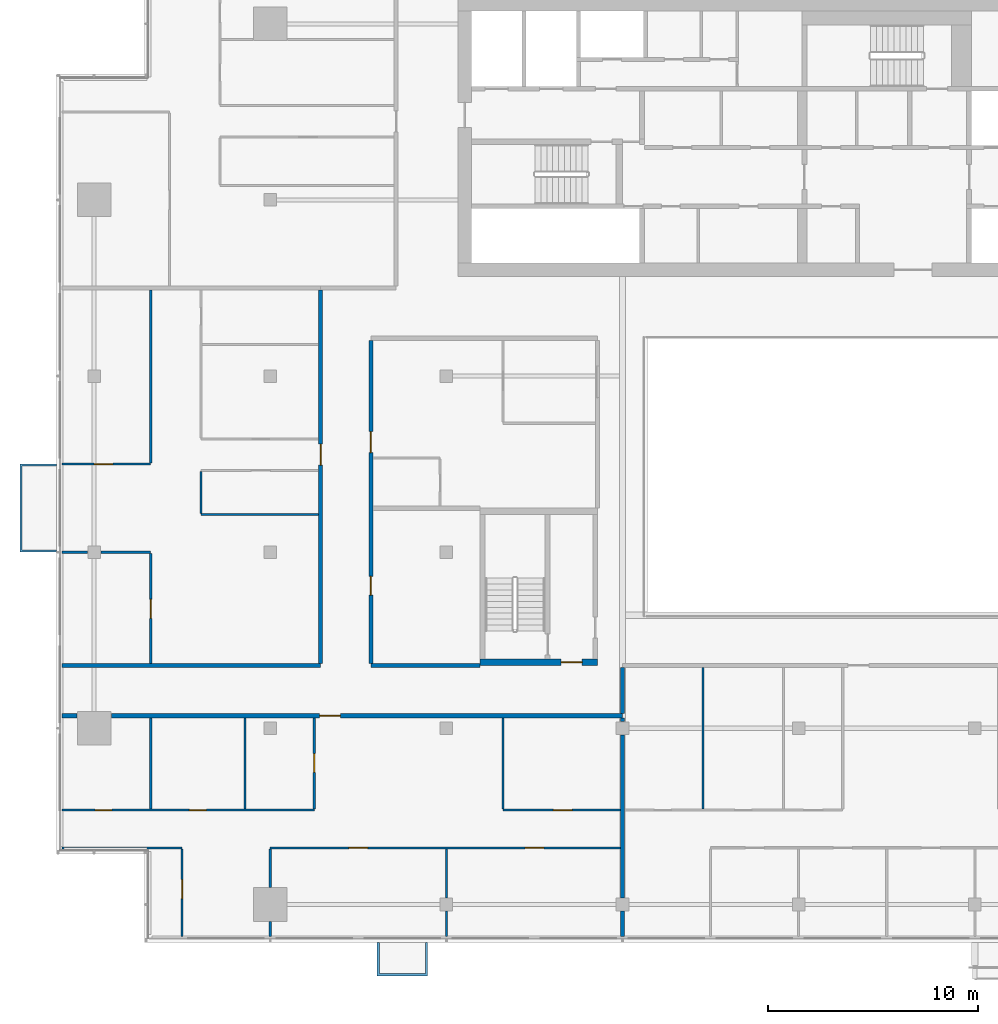
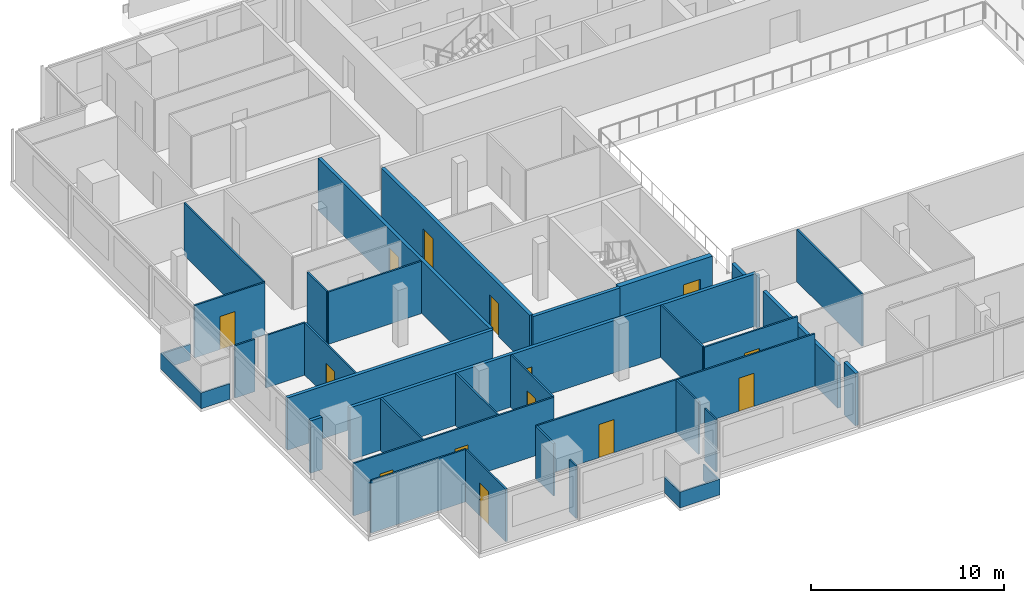
# One storey, part 17 of 27: 34 walls, 14 doors, 14 openings.
"""IFC4 building model written with IfcOpenShell, lengths in metres."""

import ifcopenshell
import ifcopenshell.guid

model = None  # the IFC model being written
_history = None  # IfcOwnerHistory: only IFC2X3 demands one
_inside = {}  # id of a spatial element -> (the spatial element, [elements in it])
_under = {}  # id of a project, library or spatial element -> (it, [spatial elements below it])
_declared = {}  # id of a project -> (the project, [libraries it declares])
_typed = {}  # id of a type object -> (the type object, [elements of that type])
_made_of = {}  # id of a material, layer set ... -> (it, [elements and type objects made of it])


def new_model(schema):
    """Start an empty IFC model of exactly this schema.

    Asked for "IFC4X3", IfcOpenShell would pick the latest addendum, in which some entities
    have other attributes; the version numbers below select the first issue.
    IFC2X3 requires an IfcOwnerHistory on every rooted entity: one is made here for all.
    """
    global model, _history
    if schema == "IFC4X3":
        model = ifcopenshell.file(schema_version=(4, 3, 0, 0))
    else:
        model = ifcopenshell.file(schema=schema)
    _inside.clear()
    _under.clear()
    _declared.clear()
    _typed.clear()
    _made_of.clear()
    _history = None
    if model.schema == "IFC2X3":
        org = make("IfcOrganization", Name="unknown")
        user = make(
            "IfcPersonAndOrganization",
            ThePerson=make("IfcPerson", FamilyName="unknown"),
            TheOrganization=org,
        )
        app = make(
            "IfcApplication",
            ApplicationDeveloper=org,
            Version="unknown",
            ApplicationFullName="unknown",
            ApplicationIdentifier="unknown",
        )
        _history = make(
            "IfcOwnerHistory",
            OwningUser=user,
            OwningApplication=app,
            ChangeAction="ADDED",
            CreationDate=0,
        )
    return model


def make(cls, **values):
    """One entity of the class cls with the attributes given. An attribute that is None is left unset."""
    return model.create_entity(
        cls, **{name: value for name, value in values.items() if value is not None}
    )


def rooted(cls, **values):
    """An entity with a GlobalId (a new one), such as an element, a storey or a relation."""
    return make(cls, GlobalId=ifcopenshell.guid.new(), OwnerHistory=_history, **values)


def si_unit(unit_type, name, prefix=None):
    """IfcSIUnit, for example si_unit("LENGTHUNIT", "METRE", prefix="MILLI")."""
    return make("IfcSIUnit", UnitType=unit_type, Prefix=prefix, Name=name)


def assignment(units):
    """IfcUnitAssignment: the units of a project."""
    return None if units is None else make("IfcUnitAssignment", Units=units)


def point(xyz):
    """IfcCartesianPoint."""
    return None if xyz is None else make("IfcCartesianPoint", Coordinates=xyz)


def direction(xyz):
    """IfcDirection."""
    return None if xyz is None else make("IfcDirection", DirectionRatios=xyz)


def frame(location, z_axis=None, x_axis=None):
    """IfcAxis2Placement3D, a coordinate frame: its origin and axes. An axis left out is left unset."""
    return make(
        "IfcAxis2Placement3D",
        Location=point(location),
        Axis=direction(z_axis),
        RefDirection=direction(x_axis),
    )


def frame_2d(location, x_axis=None):
    """IfcAxis2Placement2D, a coordinate frame in the plane: its origin and x axis."""
    return make(
        "IfcAxis2Placement2D", Location=point(location), RefDirection=direction(x_axis)
    )


def origin():
    """The frame at (0, 0, 0) with its axes left unset."""
    return frame((0.0, 0.0, 0.0))


def place(relative_to, where):
    """IfcLocalPlacement: puts the frame where relative to a parent placement (None: the world)."""
    return make(
        "IfcLocalPlacement", PlacementRelTo=relative_to, RelativePlacement=where
    )


def context(
    kind, dimensions, precision=None, world=None, true_north=None, identifier=None
):
    """IfcGeometricRepresentationContext, for example the 3D "Model" context."""
    return make(
        "IfcGeometricRepresentationContext",
        ContextIdentifier=identifier,
        ContextType=kind,
        CoordinateSpaceDimension=dimensions,
        Precision=precision,
        WorldCoordinateSystem=world,
        TrueNorth=true_north,
    )


def subcontext(parent, identifier, kind, view, scale=None):
    """IfcGeometricRepresentationSubContext, for example "Body" below "Model"."""
    return make(
        "IfcGeometricRepresentationSubContext",
        ContextIdentifier=identifier,
        ContextType=kind,
        ParentContext=parent,
        TargetScale=scale,
        TargetView=view,
    )


def project(units=None, contexts=None):
    """IfcProject with its units and contexts."""
    return rooted(
        "IfcProject",
        Name="project",
        RepresentationContexts=contexts,
        UnitsInContext=assignment(units),
    )


def spatial(cls, under=None, at=None, **own):
    """A site, building, storey or space (cls), placed at a placement, below another one or the project."""
    s = rooted(cls, ObjectPlacement=at, **own)
    if under is not None:
        _under.setdefault(under.id(), (under, []))[1].append(s)
    return s


def polyline(points):
    """IfcPolyline through the points."""
    return make("IfcPolyline", Points=[point(p) for p in points])


def profile(cls, at=None, kind="AREA", **sizes):
    """A parametric profile (cls). Its sizes go by their IFC names, for example OverallWidth=200.0."""
    return make(cls, ProfileType=kind, Position=at, **sizes)


def rectangle(**sizes):
    """IfcRectangleProfileDef."""
    return profile("IfcRectangleProfileDef", **sizes)


def outline(outer, holes=None, kind="AREA"):
    """IfcArbitraryClosedProfileDef: a profile drawn as a closed curve; with holes, ...WithVoids."""
    if holes is None:
        return make("IfcArbitraryClosedProfileDef", ProfileType=kind, OuterCurve=outer)
    return make(
        "IfcArbitraryProfileDefWithVoids",
        ProfileType=kind,
        OuterCurve=outer,
        InnerCurves=holes,
    )


def extrude(swept, where, along, depth):
    """IfcExtrudedAreaSolid: the profile swept, set in the frame where, extruded along a direction by depth."""
    return make(
        "IfcExtrudedAreaSolid",
        SweptArea=swept,
        Position=where,
        ExtrudedDirection=direction(along),
        Depth=depth,
    )


def shape(context_of_items, identifier, shape_type, items):
    """IfcShapeRepresentation: the items that make up one representation, for example the "Body"."""
    return make(
        "IfcShapeRepresentation",
        ContextOfItems=context_of_items,
        RepresentationIdentifier=identifier,
        RepresentationType=shape_type,
        Items=items,
    )


def material(Name=None, Category=None):
    """IfcMaterial."""
    return make("IfcMaterial", Name=Name, Category=Category)


def layer(
    of_material, thickness, ventilated=None, Name=None, Category=None, Priority=None
):
    """IfcMaterialLayer: one layer of a wall or slab, of a material (None: an air gap)."""
    return make(
        "IfcMaterialLayer",
        Material=of_material,
        LayerThickness=thickness,
        IsVentilated=ventilated,
        Name=Name,
        Category=Category,
        Priority=Priority,
    )


def layer_set(layers, Name=None):
    """IfcMaterialLayerSet."""
    return make("IfcMaterialLayerSet", MaterialLayers=layers, LayerSetName=Name)


def made_of(thing, what):
    """Note that an element or type object is made of a material, layer set ...; save() writes the relation."""
    if what is not None:
        _made_of.setdefault(what.id(), (what, []))[1].append(thing)
    return thing


def type_object(cls, material=None, **own):
    """A type object (cls), such as IfcWallType, which elements share."""
    return made_of(rooted(cls, **own), material)


def element(
    cls,
    number,
    at=None,
    inside=None,
    cuts=None,
    type_object=None,
    material=None,
    context=None,
    identifier="Body",
    shape_type=None,
    held_by="IfcProductDefinitionShape",
    body=None,
    shapes=None,
    **own,
):
    """One element of the class cls, such as IfcWall. Its Tag is "e" and its number.

    at: its placement. inside: the storey or other place that contains it. cuts: it is an
    opening in that element (IfcRelVoidsElement). A single representation is given by context,
    identifier, shape_type and body (its items); several are given by shapes. held_by: the class
    of the entity that holds the representations. save() writes the other relations.
    """
    e = rooted(cls, Tag="e%d" % number, ObjectPlacement=at, **own)
    if body is not None:
        shapes = [shape(context, identifier, shape_type, body)]
    if shapes is not None:
        e.Representation = make(held_by, Representations=shapes)
    if inside is not None:
        _inside.setdefault(inside.id(), (inside, []))[1].append(e)
    if cuts is not None:
        rooted(
            "IfcRelVoidsElement", RelatingBuildingElement=cuts, RelatedOpeningElement=e
        )
    if type_object is not None:
        _typed.setdefault(type_object.id(), (type_object, []))[1].append(e)
    return made_of(e, material)


def fill(opening, filler):
    """IfcRelFillsElement: the door or window that sits in an opening."""
    return rooted(
        "IfcRelFillsElement",
        RelatingOpeningElement=opening,
        RelatedBuildingElement=filler,
    )


def aggregate(whole, parts):
    """IfcRelAggregates: a whole, such as a stair, and the parts it consists of."""
    return rooted("IfcRelAggregates", RelatingObject=whole, RelatedObjects=parts)


def save(model, path):
    """Write the relations noted so far, then the file.

    IfcRelAggregates (storeys below a building ...), IfcRelContainedInSpatialStructure (elements
    in a storey), IfcRelDefinesByType, IfcRelAssociatesMaterial and IfcRelDeclares: one each for
    every whole, place, type object, material and project.
    """
    for whole, parts in _under.values():
        aggregate(whole, parts)
    for where, things in _inside.values():
        rooted(
            "IfcRelContainedInSpatialStructure",
            RelatedElements=things,
            RelatingStructure=where,
        )
    for kind, things in _typed.values():
        rooted("IfcRelDefinesByType", RelatedObjects=things, RelatingType=kind)
    for what, things in _made_of.values():
        rooted("IfcRelAssociatesMaterial", RelatedObjects=things, RelatingMaterial=what)
    for by, libraries in _declared.values():
        rooted("IfcRelDeclares", RelatingContext=by, RelatedDefinitions=libraries)
    model.write(path)


model = new_model("IFC4")

# Units and contexts
model_context = context("Model", 3, precision=1e-05, world=origin(), true_north=direction((0.0, 1.0)))
body_context = subcontext(model_context, "Body", "Model", "MODEL_VIEW")
ifc_project = project(units=[si_unit("LENGTHUNIT", "METRE"), si_unit("AREAUNIT", "SQUARE_METRE"), si_unit("VOLUMEUNIT", "CUBIC_METRE"), si_unit("PLANEANGLEUNIT", "RADIAN"), si_unit("MASSUNIT", "GRAM", prefix="KILO")], contexts=[model_context])

# Site, building, storey
site_placement = place(None, origin())
site = spatial("IfcSite", under=ifc_project, at=site_placement, CompositionType="ELEMENT")
building_placement = place(site_placement, origin())
building = spatial("IfcBuilding", under=site, at=building_placement, Name="Saffron Gate Tower", CompositionType="ELEMENT")
storey_placement = place(building_placement, frame((0.0, 0.0, 234.300048828125)))
storey = spatial("IfcBuildingStorey", under=building, at=storey_placement, Name="L57", CompositionType="ELEMENT", Elevation=234.300048828125)

# Wall, opening, door
ifc_material_1 = material(Name="Concrete C60", Category="concrete")
ifc_layer_1 = layer(ifc_material_1, 0.300048828125)
ifc_layer_set_1 = layer_set([ifc_layer_1], Name="CW17 RC core wall 300 C60")
wall_type_1 = type_object("IfcWallType", Name="CW17 RC core wall 300 C60", PredefinedType="SOLIDWALL", material=ifc_layer_set_1)
wall_1_placement = place(storey_placement, frame((68.199951171875, 43.35009765625, 0.0), z_axis=(0.0, 0.0, 1.0), x_axis=(1.0, 0.0, 0.0)))
wall_1 = element("IfcWall", 1, at=wall_1_placement, inside=storey, type_object=wall_type_1, Name="Wall CW17-L57-D-1", PredefinedType="SOLIDWALL", context=body_context, shape_type="SweptSolid", body=[
    extrude(rectangle(XDim=5.60009765625, YDim=0.300048828125, at=frame_2d((2.800048828125, 0.0))), origin(), (0.0, 0.0, 1.0), 3.320068359375),
])
opening_1_placement = place(wall_1_placement, frame((3.875, 0.0, 0.0)))
opening_1 = element("IfcOpeningElement", 2, at=opening_1_placement, cuts=wall_1, Name="Opening CR-18", PredefinedType="OPENING", context=body_context, shape_type="SweptSolid", body=[
    extrude(rectangle(XDim=1.0, YDim=2.10009765625, at=frame_2d((0.5, 1.050048828125))), frame((0.0, 0.16015625, 0.0), z_axis=(0.0, -1.0, 0.0), x_axis=(1.0, 0.0, 0.0)), (0.0, 0.0, 1.0), 0.320068359375),
])
ifc_material_2 = material(Name="Steel fire door set", Category="steel")
door_type_1 = type_object("IfcDoorType", Name="CD4 Lobby door 1000x2100 EI 120", OperationType="NOTDEFINED", PredefinedType="DOOR", material=ifc_material_2)
door_1_placement = place(opening_1_placement, origin())
door_1 = element("IfcDoor", 3, at=door_1_placement, inside=storey, type_object=door_type_1, Name="DOOR CR-18", OperationType="SINGLE_SWING_RIGHT", OverallHeight=2.10009765625, OverallWidth=1.0, PredefinedType="DOOR", context=body_context, shape_type="SweptSolid", body=[
    extrude(rectangle(XDim=1.0, YDim=2.10009765625, at=frame_2d((0.5, 1.050048828125))), frame((0.0, 0.02490234375, 0.0), z_axis=(0.0, -1.0, 0.0), x_axis=(1.0, 0.0, 0.0)), (0.0, 0.0, 1.0), 0.050048828125),
])
fill(opening_1, door_1)

# Wall
ifc_material_3 = material(Name="Plasterboard on steel studs", Category="steel")
ifc_layer_2 = layer(ifc_material_3, 0.10009765625)
ifc_layer_set_2 = layer_set([ifc_layer_2], Name="PW1 Partition 100")
wall_type_2 = type_object("IfcWallType", Name="PW1 Partition 100", PredefinedType="PARTITIONING", material=ifc_layer_set_2)
wall_2_placement = place(storey_placement, frame((48.280029296875, 34.5, 0.0), z_axis=(0.0, 0.0, 1.0), x_axis=(1.0, 0.0, 0.0)))
element("IfcWall", 4, at=wall_2_placement, inside=storey, type_object=wall_type_2, Name="Partition D3-1", PredefinedType="PARTITIONING", context=body_context, shape_type="SweptSolid", body=[
    extrude(rectangle(XDim=5.719970703125, YDim=0.10009765625, at=frame_2d((2.85986328125, 0.0))), origin(), (0.0, 0.0, 1.0), 3.320068359375),
])

# Wall, openings, doors
wall_3_placement = place(storey_placement, frame((74.89990234375, 34.5, 0.0), z_axis=(0.0, 0.0, 1.0), x_axis=(-1.0, 0.0, 0.0)))
wall_3 = element("IfcWall", 5, at=wall_3_placement, inside=storey, type_object=wall_type_2, Name="Partition D3-2", PredefinedType="PARTITIONING", context=body_context, shape_type="SweptSolid", body=[
    extrude(rectangle(XDim=16.699951171875, YDim=0.10009765625, at=frame_2d((8.35009765625, 0.0))), origin(), (0.0, 0.0, 1.0), 3.320068359375),
])
opening_2_placement = place(wall_3_placement, frame((3.64990234375, 0.0, 0.0)))
opening_2 = element("IfcOpeningElement", 6, at=opening_2_placement, cuts=wall_3, Name="Opening D3-12", PredefinedType="OPENING", context=body_context, shape_type="SweptSolid", body=[
    extrude(rectangle(XDim=0.89990234375, YDim=2.10009765625, at=frame_2d((0.449951171875, 1.050048828125))), frame((0.0, 0.06005859375, 0.0), z_axis=(0.0, -1.0, 0.0), x_axis=(1.0, 0.0, 0.0)), (0.0, 0.0, 1.0), 0.1201171875),
])
opening_3_placement = place(wall_3_placement, frame((12.050048828125, 0.0, 0.0)))
opening_3 = element("IfcOpeningElement", 7, at=opening_3_placement, cuts=wall_3, Name="Opening D3-11", PredefinedType="OPENING", context=body_context, shape_type="SweptSolid", body=[
    extrude(rectangle(XDim=0.89990234375, YDim=2.10009765625, at=frame_2d((0.449951171875, 1.050048828125))), frame((0.0, 0.06005859375, 0.0), z_axis=(0.0, -1.0, 0.0), x_axis=(1.0, 0.0, 0.0)), (0.0, 0.0, 1.0), 0.1201171875),
])
ifc_material_4 = material(Name="Timber door set", Category="wood")
door_type_2 = type_object("IfcDoorType", Name="RD1 Room door 900x2100", OperationType="NOTDEFINED", PredefinedType="DOOR", material=ifc_material_4)
door_2_placement = place(opening_2_placement, origin())
door_2 = element("IfcDoor", 8, at=door_2_placement, inside=storey, type_object=door_type_2, Name="Door D3-12", OperationType="SINGLE_SWING_LEFT", OverallHeight=2.10009765625, OverallWidth=0.89990234375, PredefinedType="DOOR", context=body_context, shape_type="SweptSolid", body=[
    extrude(rectangle(XDim=0.89990234375, YDim=2.10009765625, at=frame_2d((0.449951171875, 1.050048828125))), frame((0.0, 0.02490234375, 0.0), z_axis=(0.0, -1.0, 0.0), x_axis=(1.0, 0.0, 0.0)), (0.0, 0.0, 1.0), 0.050048828125),
])
fill(opening_2, door_2)
door_3_placement = place(opening_3_placement, origin())
door_3 = element("IfcDoor", 9, at=door_3_placement, inside=storey, type_object=door_type_2, Name="Door D3-11", OperationType="SINGLE_SWING_RIGHT", OverallHeight=2.10009765625, OverallWidth=0.89990234375, PredefinedType="DOOR", context=body_context, shape_type="SweptSolid", body=[
    extrude(rectangle(XDim=0.89990234375, YDim=2.10009765625, at=frame_2d((0.449951171875, 1.050048828125))), frame((0.0, 0.02490234375, 0.0), z_axis=(0.0, -1.0, 0.0), x_axis=(1.0, 0.0, 0.0)), (0.0, 0.0, 1.0), 0.050048828125),
])
fill(opening_3, door_3)

wall_4_placement = place(storey_placement, frame((48.280029296875, 36.300048828125, 0.0), z_axis=(0.0, 0.0, 1.0), x_axis=(1.0, 0.0, 0.0)))
wall_4 = element("IfcWall", 10, at=wall_4_placement, inside=storey, type_object=wall_type_2, Name="Partition D3-4", PredefinedType="PARTITIONING", context=body_context, shape_type="SweptSolid", body=[
    extrude(rectangle(XDim=12.02001953125, YDim=0.10009765625, at=frame_2d((6.010009765625, 0.0))), origin(), (0.0, 0.0, 1.0), 3.320068359375),
])
opening_4_placement = place(wall_4_placement, frame((1.570068359375, 0.0, 0.0)))
opening_4 = element("IfcOpeningElement", 11, at=opening_4_placement, cuts=wall_4, Name="Opening D3-39", PredefinedType="OPENING", context=body_context, shape_type="SweptSolid", body=[
    extrude(rectangle(XDim=0.800048828125, YDim=2.10009765625, at=frame_2d((0.39990234375, 1.050048828125))), frame((0.0, 0.06005859375, 0.0), z_axis=(0.0, -1.0, 0.0), x_axis=(1.0, 0.0, 0.0)), (0.0, 0.0, 1.0), 0.1201171875),
])
opening_5_placement = place(wall_4_placement, frame((6.070068359375, 0.0, 0.0)))
opening_5 = element("IfcOpeningElement", 12, at=opening_5_placement, cuts=wall_4, Name="Opening D3-40", PredefinedType="OPENING", context=body_context, shape_type="SweptSolid", body=[
    extrude(rectangle(XDim=0.800048828125, YDim=2.10009765625, at=frame_2d((0.39990234375, 1.050048828125))), frame((0.0, 0.06005859375, 0.0), z_axis=(0.0, -1.0, 0.0), x_axis=(1.0, 0.0, 0.0)), (0.0, 0.0, 1.0), 0.1201171875),
])
door_type_3 = type_object("IfcDoorType", Name="RD2 Bathroom door 800x2100", OperationType="NOTDEFINED", PredefinedType="DOOR", material=ifc_material_4)
door_4_placement = place(opening_4_placement, origin())
door_4 = element("IfcDoor", 13, at=door_4_placement, inside=storey, type_object=door_type_3, Name="Door D3-39", OperationType="SINGLE_SWING_LEFT", OverallHeight=2.10009765625, OverallWidth=0.800048828125, PredefinedType="DOOR", context=body_context, shape_type="SweptSolid", body=[
    extrude(rectangle(XDim=0.800048828125, YDim=2.10009765625, at=frame_2d((0.39990234375, 1.050048828125))), frame((0.0, 0.02490234375, 0.0), z_axis=(0.0, -1.0, 0.0), x_axis=(1.0, 0.0, 0.0)), (0.0, 0.0, 1.0), 0.050048828125),
])
fill(opening_4, door_4)
door_5_placement = place(opening_5_placement, origin())
door_5 = element("IfcDoor", 14, at=door_5_placement, inside=storey, type_object=door_type_3, Name="Door D3-40", OperationType="SINGLE_SWING_LEFT", OverallHeight=2.10009765625, OverallWidth=0.800048828125, PredefinedType="DOOR", context=body_context, shape_type="SweptSolid", body=[
    extrude(rectangle(XDim=0.800048828125, YDim=2.10009765625, at=frame_2d((0.39990234375, 1.050048828125))), frame((0.0, 0.02490234375, 0.0), z_axis=(0.0, -1.0, 0.0), x_axis=(1.0, 0.0, 0.0)), (0.0, 0.0, 1.0), 0.050048828125),
])
fill(opening_5, door_5)

# Walls
wall_5_placement = place(storey_placement, frame((48.280029296875, 48.60009765625, 0.0), z_axis=(0.0, 0.0, 1.0), x_axis=(1.0, 0.0, 0.0)))
element("IfcWall", 15, at=wall_5_placement, inside=storey, type_object=wall_type_2, Name="Partition D3-19", PredefinedType="PARTITIONING", context=body_context, shape_type="SweptSolid", body=[
    extrude(rectangle(XDim=1.199951171875, YDim=0.10009765625, at=frame_2d((0.60009765625, 0.0))), origin(), (0.0, 0.0, 1.0), 3.320068359375),
])
wall_6_placement = place(storey_placement, frame((50.1201171875, 48.60009765625, 0.0), z_axis=(0.0, 0.0, 1.0), x_axis=(1.0, 0.0, 0.0)))
element("IfcWall", 16, at=wall_6_placement, inside=storey, type_object=wall_type_2, Name="Partition D3-20", PredefinedType="PARTITIONING", context=body_context, shape_type="SweptSolid", body=[
    extrude(rectangle(XDim=2.3798828125, YDim=0.10009765625, at=frame_2d((1.18994140625, 0.0))), origin(), (0.0, 0.0, 1.0), 3.320068359375),
])
wall_7_placement = place(storey_placement, frame((54.89990234375, 50.39306640625, 0.0), z_axis=(0.0, 0.0, 1.0), x_axis=(1.0, 0.0, 0.0)))
element("IfcWall", 17, at=wall_7_placement, inside=storey, type_object=wall_type_2, Name="Partition D3-23", PredefinedType="PARTITIONING", context=body_context, shape_type="SweptSolid", body=[
    extrude(rectangle(XDim=5.60009765625, YDim=0.10009765625, at=frame_2d((2.800048828125, 0.0))), origin(), (0.0, 0.0, 1.0), 3.320068359375),
])

# Wall, opening, door
wall_8_placement = place(storey_placement, frame((48.280029296875, 52.800048828125, 0.0), z_axis=(0.0, 0.0, 1.0), x_axis=(1.0, 0.0, 0.0)))
wall_8 = element("IfcWall", 18, at=wall_8_placement, inside=storey, type_object=wall_type_2, Name="Partition D3-27", PredefinedType="PARTITIONING", context=body_context, shape_type="SweptSolid", body=[
    extrude(rectangle(XDim=4.219970703125, YDim=0.10009765625, at=frame_2d((2.10986328125, 0.0))), origin(), (0.0, 0.0, 1.0), 3.320068359375),
])
opening_6_placement = place(wall_8_placement, frame((1.52001953125, 0.0, 0.0)))
opening_6 = element("IfcOpeningElement", 19, at=opening_6_placement, cuts=wall_8, Name="Opening D3-26", PredefinedType="OPENING", context=body_context, shape_type="SweptSolid", body=[
    extrude(rectangle(XDim=0.89990234375, YDim=2.10009765625, at=frame_2d((0.449951171875, 1.050048828125))), frame((0.0, 0.06005859375, 0.0), z_axis=(0.0, -1.0, 0.0), x_axis=(1.0, 0.0, 0.0)), (0.0, 0.0, 1.0), 0.1201171875),
])
door_6_placement = place(opening_6_placement, origin())
door_6 = element("IfcDoor", 20, at=door_6_placement, inside=storey, type_object=door_type_2, Name="Door D3-26", OperationType="SINGLE_SWING_LEFT", OverallHeight=2.10009765625, OverallWidth=0.89990234375, PredefinedType="DOOR", context=body_context, shape_type="SweptSolid", body=[
    extrude(rectangle(XDim=0.89990234375, YDim=2.10009765625, at=frame_2d((0.449951171875, 1.050048828125))), frame((0.0, 0.02490234375, 0.0), z_axis=(0.0, -1.0, 0.0), x_axis=(1.0, 0.0, 0.0)), (0.0, 0.0, 1.0), 0.050048828125),
])
fill(opening_6, door_6)

# Wall
wall_9_placement = place(storey_placement, frame((52.5, 40.699951171875, 0.0), z_axis=(0.0, 0.0, 1.0), x_axis=(0.0, -1.0, 0.0)))
element("IfcWall", 21, at=wall_9_placement, inside=storey, type_object=wall_type_2, Name="Partition D3-55", PredefinedType="PARTITIONING", context=body_context, shape_type="SweptSolid", body=[
    extrude(rectangle(XDim=4.349853515625, YDim=0.10009765625, at=frame_2d((2.1748046875, 0.0))), origin(), (0.0, 0.0, 1.0), 3.320068359375),
])

# Wall, opening, door
wall_10_placement = place(storey_placement, frame((52.5, 43.300048828125, 0.0), z_axis=(0.0, 0.0, 1.0), x_axis=(0.0, 1.0, 0.0)))
wall_10 = element("IfcWall", 22, at=wall_10_placement, inside=storey, type_object=wall_type_2, Name="Partition D3-56", PredefinedType="PARTITIONING", context=body_context, shape_type="SweptSolid", body=[
    extrude(rectangle(XDim=5.25, YDim=0.10009765625, at=frame_2d((2.625, 0.0))), origin(), (0.0, 0.0, 1.0), 3.320068359375),
])
opening_7_placement = place(wall_10_placement, frame((2.14990234375, 0.0, 0.0)))
opening_7 = element("IfcOpeningElement", 23, at=opening_7_placement, cuts=wall_10, Name="Opening D3-25", PredefinedType="OPENING", context=body_context, shape_type="SweptSolid", body=[
    extrude(rectangle(XDim=0.89990234375, YDim=2.10009765625, at=frame_2d((0.449951171875, 1.050048828125))), frame((0.0, 0.06005859375, 0.0), z_axis=(0.0, -1.0, 0.0), x_axis=(1.0, 0.0, 0.0)), (0.0, 0.0, 1.0), 0.1201171875),
])
door_7_placement = place(opening_7_placement, origin())
door_7 = element("IfcDoor", 24, at=door_7_placement, inside=storey, type_object=door_type_2, Name="Door D3-25", OperationType="SINGLE_SWING_LEFT", OverallHeight=2.10009765625, OverallWidth=0.89990234375, PredefinedType="DOOR", context=body_context, shape_type="SweptSolid", body=[
    extrude(rectangle(XDim=0.89990234375, YDim=2.10009765625, at=frame_2d((0.449951171875, 1.050048828125))), frame((0.0, 0.02490234375, 0.0), z_axis=(0.0, -1.0, 0.0), x_axis=(1.0, 0.0, 0.0)), (0.0, 0.0, 1.0), 0.050048828125),
])
fill(opening_7, door_7)

# Wall
wall_11_placement = place(storey_placement, frame((52.5, 61.10009765625, 0.0), z_axis=(0.0, 0.0, 1.0), x_axis=(0.0, -1.0, 0.0)))
element("IfcWall", 25, at=wall_11_placement, inside=storey, type_object=wall_type_2, Name="Partition D3-57", PredefinedType="PARTITIONING", context=body_context, shape_type="SweptSolid", body=[
    extrude(rectangle(XDim=8.25, YDim=0.10009765625, at=frame_2d((4.125, 0.0))), origin(), (0.0, 0.0, 1.0), 3.320068359375),
])

# Wall, opening, door
wall_12_placement = place(storey_placement, frame((54.0, 30.280029296875, 0.0), z_axis=(0.0, 0.0, 1.0), x_axis=(0.0, 1.0, 0.0)))
wall_12 = element("IfcWall", 26, at=wall_12_placement, inside=storey, type_object=wall_type_2, Name="Partition D3-59", PredefinedType="PARTITIONING", context=body_context, shape_type="SweptSolid", body=[
    extrude(rectangle(XDim=4.169921875, YDim=0.10009765625, at=frame_2d((2.0849609375, 0.0))), origin(), (0.0, 0.0, 1.0), 3.320068359375),
])
opening_8_placement = place(wall_12_placement, frame((1.802734375, 0.0, 0.0)))
opening_8 = element("IfcOpeningElement", 27, at=opening_8_placement, cuts=wall_12, Name="Opening D3-10", PredefinedType="OPENING", context=body_context, shape_type="SweptSolid", body=[
    extrude(rectangle(XDim=0.89990234375, YDim=2.10009765625, at=frame_2d((0.449951171875, 1.050048828125))), frame((0.0, 0.06005859375, 0.0), z_axis=(0.0, -1.0, 0.0), x_axis=(1.0, 0.0, 0.0)), (0.0, 0.0, 1.0), 0.1201171875),
])
door_8_placement = place(opening_8_placement, origin())
door_8 = element("IfcDoor", 28, at=door_8_placement, inside=storey, type_object=door_type_2, Name="Door D3-10", OperationType="SINGLE_SWING_RIGHT", OverallHeight=2.10009765625, OverallWidth=0.89990234375, PredefinedType="DOOR", context=body_context, shape_type="SweptSolid", body=[
    extrude(rectangle(XDim=0.89990234375, YDim=2.10009765625, at=frame_2d((0.449951171875, 1.050048828125))), frame((0.0, 0.02490234375, 0.0), z_axis=(0.0, -1.0, 0.0), x_axis=(1.0, 0.0, 0.0)), (0.0, 0.0, 1.0), 0.050048828125),
])
fill(opening_8, door_8)

# Walls
wall_13_placement = place(storey_placement, frame((54.89990234375, 52.449951171875, 0.0), z_axis=(0.0, 0.0, 1.0), x_axis=(0.0, -1.0, 0.0)))
element("IfcWall", 29, at=wall_13_placement, inside=storey, type_object=wall_type_2, Name="Partition D3-60", PredefinedType="PARTITIONING", context=body_context, shape_type="SweptSolid", body=[
    extrude(rectangle(XDim=2.0068359375, YDim=0.10009765625, at=frame_2d((1.00341796875, 0.0))), origin(), (0.0, 0.0, 1.0), 3.320068359375),
])
wall_14_placement = place(storey_placement, frame((57.0, 40.699951171875, 0.0), z_axis=(0.0, 0.0, 1.0), x_axis=(0.0, -1.0, 0.0)))
element("IfcWall", 30, at=wall_14_placement, inside=storey, type_object=wall_type_2, Name="Partition D3-64", PredefinedType="PARTITIONING", context=body_context, shape_type="SweptSolid", body=[
    extrude(rectangle(XDim=4.349853515625, YDim=0.10009765625, at=frame_2d((2.1748046875, 0.0))), origin(), (0.0, 0.0, 1.0), 3.320068359375),
])
wall_15_placement = place(storey_placement, frame((58.199951171875, 30.97998046875, 0.0), z_axis=(0.0, 0.0, 1.0), x_axis=(0.0, -1.0, 0.0)))
element("IfcWall", 31, at=wall_15_placement, inside=storey, type_object=wall_type_2, Name="Partition D3-65", PredefinedType="PARTITIONING", context=body_context, shape_type="SweptSolid", body=[
    extrude(rectangle(XDim=0.699951171875, YDim=0.10009765625, at=frame_2d((0.35009765625, 0.0))), origin(), (0.0, 0.0, 1.0), 3.320068359375),
])
wall_16_placement = place(storey_placement, frame((58.199951171875, 34.449951171875, 0.0), z_axis=(0.0, 0.0, 1.0), x_axis=(0.0, -1.0, 0.0)))
element("IfcWall", 32, at=wall_16_placement, inside=storey, type_object=wall_type_2, Name="Partition D3-66", PredefinedType="PARTITIONING", context=body_context, shape_type="SweptSolid", body=[
    extrude(rectangle(XDim=1.829833984375, YDim=0.10009765625, at=frame_2d((0.9150390625, 0.0))), origin(), (0.0, 0.0, 1.0), 3.320068359375),
])

# Wall, opening, door
wall_17_placement = place(storey_placement, frame((60.300048828125, 36.35009765625, 0.0), z_axis=(0.0, 0.0, 1.0), x_axis=(0.0, 1.0, 0.0)))
wall_17 = element("IfcWall", 33, at=wall_17_placement, inside=storey, type_object=wall_type_2, Name="Partition D3-67", PredefinedType="PARTITIONING", context=body_context, shape_type="SweptSolid", body=[
    extrude(rectangle(XDim=4.349853515625, YDim=0.10009765625, at=frame_2d((2.1748046875, 0.0))), origin(), (0.0, 0.0, 1.0), 3.320068359375),
])
opening_9_placement = place(wall_17_placement, frame((1.75, 0.0, 0.0)))
opening_9 = element("IfcOpeningElement", 34, at=opening_9_placement, cuts=wall_17, Name="Opening D3-14", PredefinedType="OPENING", context=body_context, shape_type="SweptSolid", body=[
    extrude(rectangle(XDim=0.89990234375, YDim=2.10009765625, at=frame_2d((0.449951171875, 1.050048828125))), frame((0.0, 0.06005859375, 0.0), z_axis=(0.0, -1.0, 0.0), x_axis=(1.0, 0.0, 0.0)), (0.0, 0.0, 1.0), 0.1201171875),
])
door_9_placement = place(opening_9_placement, origin())
door_9 = element("IfcDoor", 35, at=door_9_placement, inside=storey, type_object=door_type_2, Name="Door D3-14", OperationType="SINGLE_SWING_RIGHT", OverallHeight=2.10009765625, OverallWidth=0.89990234375, PredefinedType="DOOR", context=body_context, shape_type="SweptSolid", body=[
    extrude(rectangle(XDim=0.89990234375, YDim=2.10009765625, at=frame_2d((0.449951171875, 1.050048828125))), frame((0.0, 0.02490234375, 0.0), z_axis=(0.0, -1.0, 0.0), x_axis=(1.0, 0.0, 0.0)), (0.0, 0.0, 1.0), 0.050048828125),
])
fill(opening_9, door_9)

# Walls
wall_18_placement = place(storey_placement, frame((66.60009765625, 31.47998046875, 0.0), z_axis=(0.0, 0.0, 1.0), x_axis=(0.0, -1.0, 0.0)))
element("IfcWall", 36, at=wall_18_placement, inside=storey, type_object=wall_type_2, Name="Partition D3-72", PredefinedType="PARTITIONING", context=body_context, shape_type="SweptSolid", body=[
    extrude(rectangle(XDim=1.199951171875, YDim=0.10009765625, at=frame_2d((0.60009765625, 0.0))), origin(), (0.0, 0.0, 1.0), 3.320068359375),
])
wall_19_placement = place(storey_placement, frame((66.60009765625, 34.449951171875, 0.0), z_axis=(0.0, 0.0, 1.0), x_axis=(0.0, -1.0, 0.0)))
element("IfcWall", 37, at=wall_19_placement, inside=storey, type_object=wall_type_2, Name="Partition D3-73", PredefinedType="PARTITIONING", context=body_context, shape_type="SweptSolid", body=[
    extrude(rectangle(XDim=2.329833984375, YDim=0.10009765625, at=frame_2d((1.1650390625, 0.0))), origin(), (0.0, 0.0, 1.0), 3.320068359375),
])
wall_20_placement = place(storey_placement, frame((69.300048828125, 40.699951171875, 0.0), z_axis=(0.0, 0.0, 1.0), x_axis=(0.0, -1.0, 0.0)))
element("IfcWall", 38, at=wall_20_placement, inside=storey, type_object=wall_type_2, Name="Partition D3-74", PredefinedType="PARTITIONING", context=body_context, shape_type="SweptSolid", body=[
    extrude(rectangle(XDim=4.349853515625, YDim=0.10009765625, at=frame_2d((2.1748046875, 0.0))), origin(), (0.0, 0.0, 1.0), 3.320068359375),
])
wall_21_placement = place(storey_placement, frame((78.840576171875, 43.10009765625, 0.0), z_axis=(0.0, 0.0, 1.0), x_axis=(0.0, -1.0, 0.0)))
element("IfcWall", 39, at=wall_21_placement, inside=storey, type_object=wall_type_2, Name="Partition D3-81", PredefinedType="PARTITIONING", context=body_context, shape_type="SweptSolid", body=[
    extrude(rectangle(XDim=6.75, YDim=0.10009765625, at=frame_2d((3.375, 0.0))), origin(), (0.0, 0.0, 1.0), 3.320068359375),
])

# Wall, opening, door
wall_22_placement = place(storey_placement, frame((69.300048828125, 36.300048828125, 0.0), z_axis=(0.0, 0.0, 1.0), x_axis=(1.0, 0.0, 0.0)))
wall_22 = element("IfcWall", 40, at=wall_22_placement, inside=storey, type_object=wall_type_2, Name="Partition D3-114", PredefinedType="PARTITIONING", context=body_context, shape_type="SweptSolid", body=[
    extrude(rectangle(XDim=5.599853515625, YDim=0.10009765625, at=frame_2d((2.7998046875, 0.0))), origin(), (0.0, 0.0, 1.0), 3.320068359375),
])
opening_10_placement = place(wall_22_placement, frame((2.39990234375, 0.0, 0.0)))
opening_10 = element("IfcOpeningElement", 41, at=opening_10_placement, cuts=wall_22, Name="Opening D3-13", PredefinedType="OPENING", context=body_context, shape_type="SweptSolid", body=[
    extrude(rectangle(XDim=0.89990234375, YDim=2.10009765625, at=frame_2d((0.449951171875, 1.050048828125))), frame((0.0, 0.06005859375, 0.0), z_axis=(0.0, -1.0, 0.0), x_axis=(1.0, 0.0, 0.0)), (0.0, 0.0, 1.0), 0.1201171875),
])
door_10_placement = place(opening_10_placement, origin())
door_10 = element("IfcDoor", 42, at=door_10_placement, inside=storey, type_object=door_type_2, Name="Door D3-13", OperationType="SINGLE_SWING_RIGHT", OverallHeight=2.10009765625, OverallWidth=0.89990234375, PredefinedType="DOOR", context=body_context, shape_type="SweptSolid", body=[
    extrude(rectangle(XDim=0.89990234375, YDim=2.10009765625, at=frame_2d((0.449951171875, 1.050048828125))), frame((0.0, 0.02490234375, 0.0), z_axis=(0.0, -1.0, 0.0), x_axis=(1.0, 0.0, 0.0)), (0.0, 0.0, 1.0), 0.050048828125),
])
fill(opening_10, door_10)

# Walls
ifc_material_5 = material(Name="Clay brick masonry, rendered", Category="masonry")
ifc_layer_3 = layer(ifc_material_5, 0.199951171875)
ifc_layer_set_3 = layer_set([ifc_layer_3], Name="PW2 Demising wall 200")
wall_type_3 = type_object("IfcWallType", Name="PW2 Demising wall 200", PredefinedType="PARTITIONING", material=ifc_layer_set_3)
wall_23_placement = place(storey_placement, frame((75.0, 31.47998046875, 0.0), z_axis=(0.0, 0.0, 1.0), x_axis=(0.0, -1.0, 0.0)))
element("IfcWall", 43, at=wall_23_placement, inside=storey, type_object=wall_type_3, Name="Wall D3-78", PredefinedType="PARTITIONING", context=body_context, shape_type="SweptSolid", body=[
    extrude(rectangle(XDim=1.199951171875, YDim=0.199951171875, at=frame_2d((0.60009765625, 0.0))), origin(), (0.0, 0.0, 1.0), 3.320068359375),
])
wall_24_placement = place(storey_placement, frame((75.0, 39.8798828125, 0.0), z_axis=(0.0, 0.0, 1.0), x_axis=(0.0, -1.0, 0.0)))
element("IfcWall", 44, at=wall_24_placement, inside=storey, type_object=wall_type_3, Name="Wall D3-79", PredefinedType="PARTITIONING", context=body_context, shape_type="SweptSolid", body=[
    extrude(rectangle(XDim=7.759765625, YDim=0.199951171875, at=frame_2d((3.8798828125, 0.0))), origin(), (0.0, 0.0, 1.0), 2.719970703125),
])
wall_25_placement = place(storey_placement, frame((75.0, 40.699951171875, 0.0), z_axis=(0.0, 0.0, 1.0), x_axis=(0.0, -1.0, 0.0)))
element("IfcWall", 45, at=wall_25_placement, inside=storey, type_object=wall_type_3, Name="Wall D3-80", PredefinedType="PARTITIONING", context=body_context, shape_type="SweptSolid", body=[
    extrude(rectangle(XDim=0.179931640625, YDim=0.199951171875, at=frame_2d((0.08984375, 0.0))), origin(), (0.0, 0.0, 1.0), 3.320068359375),
])
ifc_layer_4 = layer(ifc_material_5, 0.199951171875)
ifc_layer_set_4 = layer_set([ifc_layer_4], Name="PW3 Corridor wall 200")
wall_type_4 = type_object("IfcWallType", Name="PW3 Corridor wall 200", PredefinedType="PARTITIONING", material=ifc_layer_set_4)
wall_26_placement = place(storey_placement, frame((48.280029296875, 40.800048828125, 0.0), z_axis=(0.0, 0.0, 1.0), x_axis=(1.0, 0.0, 0.0)))
element("IfcWall", 46, at=wall_26_placement, inside=storey, type_object=wall_type_4, Name="Wall D3-8", PredefinedType="PARTITIONING", context=body_context, shape_type="SweptSolid", body=[
    extrude(rectangle(XDim=0.699951171875, YDim=0.199951171875, at=frame_2d((0.35009765625, 0.0))), origin(), (0.0, 0.0, 1.0), 3.320068359375),
])

# Wall, opening, door
wall_27_placement = place(storey_placement, frame((75.0, 40.800048828125, 0.0), z_axis=(0.0, 0.0, 1.0), x_axis=(-1.0, 0.0, 0.0)))
wall_27 = element("IfcWall", 47, at=wall_27_placement, inside=storey, type_object=wall_type_4, Name="Wall D3-9", PredefinedType="PARTITIONING", context=body_context, shape_type="SweptSolid", body=[
    extrude(rectangle(XDim=24.3798828125, YDim=0.199951171875, at=frame_2d((12.18994140625, 0.0))), origin(), (0.0, 0.0, 1.0), 3.320068359375),
])
opening_11_placement = place(wall_27_placement, frame((13.449951171875, 0.0, 0.0)))
opening_11 = element("IfcOpeningElement", 48, at=opening_11_placement, cuts=wall_27, Name="Opening D3-1", PredefinedType="OPENING", context=body_context, shape_type="SweptSolid", body=[
    extrude(rectangle(XDim=1.0, YDim=2.10009765625, at=frame_2d((0.5, 1.050048828125))), frame((0.0, 0.10986328125, 0.0), z_axis=(0.0, -1.0, 0.0), x_axis=(1.0, 0.0, 0.0)), (0.0, 0.0, 1.0), 0.219970703125),
])
ifc_material_6 = material(Name="Timber fire door set", Category="wood")
door_type_4 = type_object("IfcDoorType", Name="FD1 Flat entry door 1000x2100", OperationType="NOTDEFINED", PredefinedType="DOOR", material=ifc_material_6)
door_11_placement = place(opening_11_placement, origin())
door_11 = element("IfcDoor", 49, at=door_11_placement, inside=storey, type_object=door_type_4, Name="Door D3-1", OperationType="SINGLE_SWING_LEFT", OverallHeight=2.10009765625, OverallWidth=1.0, PredefinedType="DOOR", context=body_context, shape_type="SweptSolid", body=[
    extrude(rectangle(XDim=1.0, YDim=2.10009765625, at=frame_2d((0.5, 1.050048828125))), frame((0.0, 0.02490234375, 0.0), z_axis=(0.0, -1.0, 0.0), x_axis=(1.0, 0.0, 0.0)), (0.0, 0.0, 1.0), 0.050048828125),
])
fill(opening_11, door_11)

# Walls
wall_28_placement = place(storey_placement, frame((48.280029296875, 43.199951171875, 0.0), z_axis=(0.0, 0.0, 1.0), x_axis=(1.0, 0.0, 0.0)))
element("IfcWall", 50, at=wall_28_placement, inside=storey, type_object=wall_type_4, Name="Wall D3-12", PredefinedType="PARTITIONING", context=body_context, shape_type="SweptSolid", body=[
    extrude(rectangle(XDim=12.320068359375, YDim=0.199951171875, at=frame_2d((6.16015625, 0.0))), origin(), (0.0, 0.0, 1.0), 3.320068359375),
])
wall_29_placement = place(storey_placement, frame((63.0, 43.199951171875, 0.0), z_axis=(0.0, 0.0, 1.0), x_axis=(1.0, 0.0, 0.0)))
element("IfcWall", 51, at=wall_29_placement, inside=storey, type_object=wall_type_4, Name="Wall D3-13", PredefinedType="PARTITIONING", context=body_context, shape_type="SweptSolid", body=[
    extrude(rectangle(XDim=5.199951171875, YDim=0.199951171875, at=frame_2d((2.60009765625, 0.0))), origin(), (0.0, 0.0, 1.0), 3.320068359375),
])

# Wall, opening, door
wall_30_placement = place(storey_placement, frame((60.60009765625, 43.300048828125, 0.0), z_axis=(0.0, 0.0, 1.0), x_axis=(0.0, 1.0, 0.0)))
wall_30 = element("IfcWall", 52, at=wall_30_placement, inside=storey, type_object=wall_type_4, Name="Wall D3-68", PredefinedType="PARTITIONING", context=body_context, shape_type="SweptSolid", body=[
    extrude(rectangle(XDim=17.800048828125, YDim=0.199951171875, at=frame_2d((8.89990234375, 0.0))), origin(), (0.0, 0.0, 1.0), 3.320068359375),
])
opening_12_placement = place(wall_30_placement, frame((9.449951171875, 0.0, 0.0)))
opening_12 = element("IfcOpeningElement", 53, at=opening_12_placement, cuts=wall_30, Name="Opening D3-4", PredefinedType="OPENING", context=body_context, shape_type="SweptSolid", body=[
    extrude(rectangle(XDim=1.0, YDim=2.10009765625, at=frame_2d((0.5, 1.050048828125))), frame((0.0, 0.10986328125, 0.0), z_axis=(0.0, -1.0, 0.0), x_axis=(1.0, 0.0, 0.0)), (0.0, 0.0, 1.0), 0.219970703125),
])
door_12_placement = place(opening_12_placement, origin())
door_12 = element("IfcDoor", 54, at=door_12_placement, inside=storey, type_object=door_type_4, Name="Door D3-4", OperationType="SINGLE_SWING_RIGHT", OverallHeight=2.10009765625, OverallWidth=1.0, PredefinedType="DOOR", context=body_context, shape_type="SweptSolid", body=[
    extrude(rectangle(XDim=1.0, YDim=2.10009765625, at=frame_2d((0.5, 1.050048828125))), frame((0.0, 0.02490234375, 0.0), z_axis=(0.0, -1.0, 0.0), x_axis=(1.0, 0.0, 0.0)), (0.0, 0.0, 1.0), 0.050048828125),
])
fill(opening_12, door_12)

# Wall, openings, doors
wall_31_placement = place(storey_placement, frame((63.0, 58.699951171875, 0.0), z_axis=(0.0, 0.0, 1.0), x_axis=(0.0, -1.0, 0.0)))
wall_31 = element("IfcWall", 55, at=wall_31_placement, inside=storey, type_object=wall_type_4, Name="Wall D3-69", PredefinedType="PARTITIONING", context=body_context, shape_type="SweptSolid", body=[
    extrude(rectangle(XDim=15.39990234375, YDim=0.199951171875, at=frame_2d((7.699951171875, 0.0))), origin(), (0.0, 0.0, 1.0), 3.320068359375),
])
opening_13_placement = place(wall_31_placement, frame((4.35009765625, 0.0, 0.0)))
opening_13 = element("IfcOpeningElement", 56, at=opening_13_placement, cuts=wall_31, Name="Opening D3-8", PredefinedType="OPENING", context=body_context, shape_type="SweptSolid", body=[
    extrude(rectangle(XDim=1.0, YDim=2.10009765625, at=frame_2d((0.5, 1.050048828125))), frame((0.0, 0.10986328125, 0.0), z_axis=(0.0, -1.0, 0.0), x_axis=(1.0, 0.0, 0.0)), (0.0, 0.0, 1.0), 0.219970703125),
])
opening_14_placement = place(wall_31_placement, frame((11.25, 0.0, 0.0)))
opening_14 = element("IfcOpeningElement", 57, at=opening_14_placement, cuts=wall_31, Name="Opening D3-55", PredefinedType="OPENING", context=body_context, shape_type="SweptSolid", body=[
    extrude(rectangle(XDim=0.89990234375, YDim=2.10009765625, at=frame_2d((0.449951171875, 1.050048828125))), frame((0.0, 0.10986328125, 0.0), z_axis=(0.0, -1.0, 0.0), x_axis=(1.0, 0.0, 0.0)), (0.0, 0.0, 1.0), 0.219970703125),
])
door_13_placement = place(opening_13_placement, origin())
door_13 = element("IfcDoor", 58, at=door_13_placement, inside=storey, type_object=door_type_4, Name="Door D3-8", OperationType="SINGLE_SWING_LEFT", OverallHeight=2.10009765625, OverallWidth=1.0, PredefinedType="DOOR", context=body_context, shape_type="SweptSolid", body=[
    extrude(rectangle(XDim=1.0, YDim=2.10009765625, at=frame_2d((0.5, 1.050048828125))), frame((0.0, 0.02490234375, 0.0), z_axis=(0.0, -1.0, 0.0), x_axis=(1.0, 0.0, 0.0)), (0.0, 0.0, 1.0), 0.050048828125),
])
fill(opening_13, door_13)
door_type_5 = type_object("IfcDoorType", Name="SD1 Service door 900x2100", OperationType="NOTDEFINED", PredefinedType="DOOR", material=ifc_material_2)
door_14_placement = place(opening_14_placement, origin())
door_14 = element("IfcDoor", 59, at=door_14_placement, inside=storey, type_object=door_type_5, Name="Door D3-55", OperationType="SINGLE_SWING_RIGHT", OverallHeight=2.10009765625, OverallWidth=0.89990234375, PredefinedType="DOOR", context=body_context, shape_type="SweptSolid", body=[
    extrude(rectangle(XDim=0.89990234375, YDim=2.10009765625, at=frame_2d((0.449951171875, 1.050048828125))), frame((0.0, 0.02490234375, 0.0), z_axis=(0.0, -1.0, 0.0), x_axis=(1.0, 0.0, 0.0)), (0.0, 0.0, 1.0), 0.050048828125),
])
fill(opening_14, door_14)

# Walls
wall_32_placement = place(storey_placement, frame((75.0, 43.10009765625, 0.0), z_axis=(0.0, 0.0, 1.0), x_axis=(0.0, -1.0, 0.0)))
element("IfcWall", 60, at=wall_32_placement, inside=storey, type_object=wall_type_4, Name="Wall D3-77", PredefinedType="PARTITIONING", context=body_context, shape_type="SweptSolid", body=[
    extrude(rectangle(XDim=2.2001953125, YDim=0.199951171875, at=frame_2d((1.10009765625, 0.0))), origin(), (0.0, 0.0, 1.0), 2.530029296875),
])
ifc_material_7 = material(Name="Rendered insulated panel, white")
ifc_layer_5 = layer(ifc_material_7, 0.10009765625)
ifc_layer_set_5 = layer_set([ifc_layer_5], Name="WB3 box parapet white")
wall_type_5 = type_object("IfcWallType", Name="WB3 box parapet white", PredefinedType="SOLIDWALL", material=ifc_layer_set_5)
wall_33_placement = place(storey_placement, origin())
element("IfcWall", 61, at=wall_33_placement, inside=storey, type_object=wall_type_5, Name="WINDOW BOX parapet", PredefinedType="SOLIDWALL", context=body_context, shape_type="SweptSolid", body=[
    extrude(outline(polyline([(63.300048828125, 30.0), (63.39990234375, 30.0), (63.39990234375, 28.5), (65.60009765625, 28.5), (65.60009765625, 30.0), (65.699951171875, 30.0), (65.699951171875, 28.39990234375), (63.300048828125, 28.39990234375), (63.300048828125, 30.0)])), origin(), (0.0, 0.0, 1.0), 1.0),
])
wall_34_placement = place(storey_placement, origin())
element("IfcWall", 62, at=wall_34_placement, inside=storey, type_object=wall_type_5, Name="WINDOW BOX parapet", PredefinedType="SOLIDWALL", context=body_context, shape_type="SweptSolid", body=[
    extrude(outline(polyline([(48.0, 52.800048828125), (48.0, 52.699951171875), (46.366943359375, 52.699951171875), (46.366943359375, 48.699951171875), (48.0, 48.699951171875), (48.0, 48.60009765625), (46.26708984375, 48.60009765625), (46.26708984375, 52.800048828125), (48.0, 52.800048828125)])), origin(), (0.0, 0.0, 1.0), 1.0),
])

save(model, "model.ifc")
